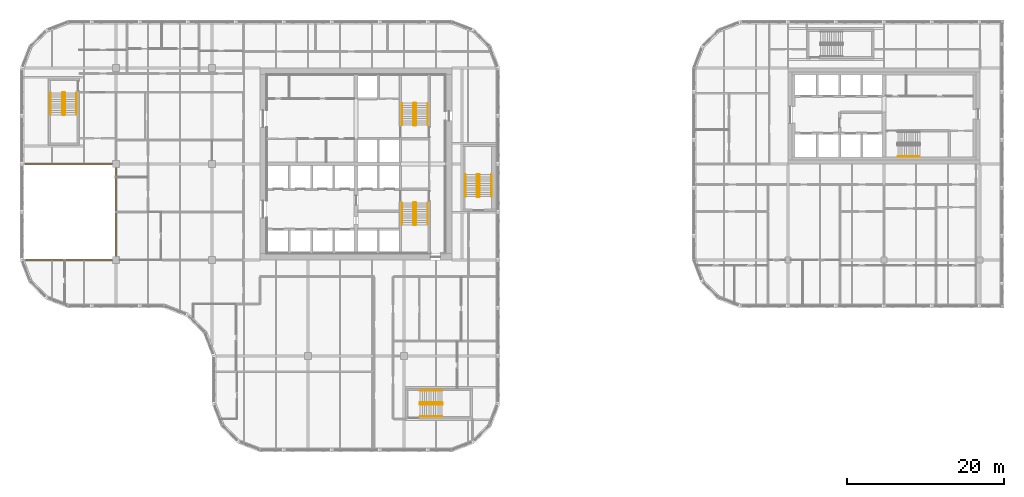
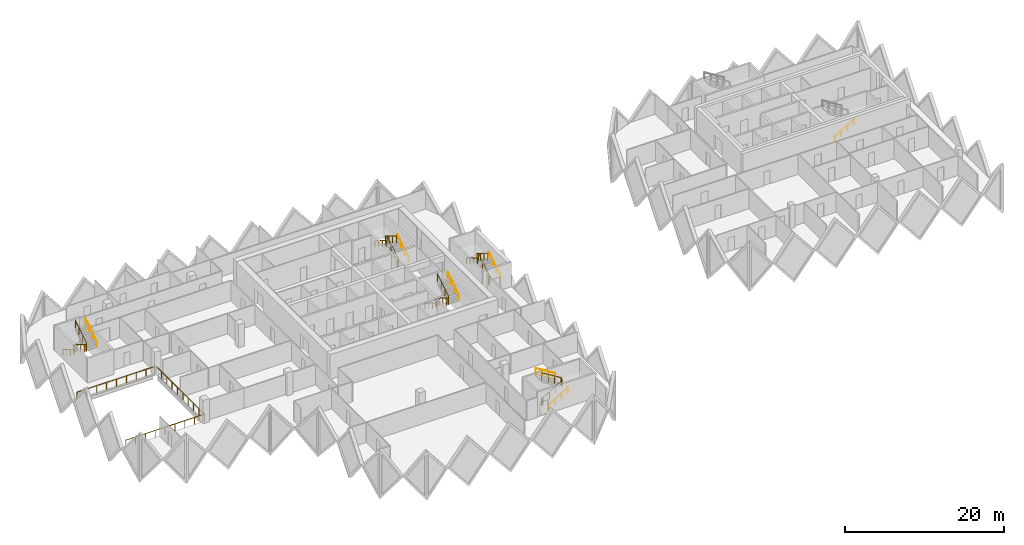
# One storey, part 17 of 18: 17 railings.
"""IFC4 building model written with IfcOpenShell, lengths in metres."""

from ifc_helpers import new_model, si_unit, direction, frame, origin, origin_2d, place, context, subcontext, project, spatial, circle, extrude, material, type_object, element, save


model = new_model("IFC4")

# Units and contexts
model_context = context("Model", 3, precision=1e-05, world=origin(), true_north=direction((0.0, 1.0)))
body_context = subcontext(model_context, "Body", "Model", "MODEL_VIEW")
ifc_project = project(units=[si_unit("LENGTHUNIT", "METRE"), si_unit("AREAUNIT", "SQUARE_METRE"), si_unit("VOLUMEUNIT", "CUBIC_METRE"), si_unit("PLANEANGLEUNIT", "RADIAN"), si_unit("MASSUNIT", "GRAM", prefix="KILO")], contexts=[model_context])

# Site, building, storey
site_placement = place(None, origin())
site = spatial("IfcSite", under=ifc_project, at=site_placement, CompositionType="ELEMENT")
building_placement = place(site_placement, origin())
building = spatial("IfcBuilding", under=site, at=building_placement, Name="Tessera Gate Towers", CompositionType="ELEMENT")
storey_placement = place(building_placement, frame((0.0, 0.0, 99.0)))
storey = spatial("IfcBuildingStorey", under=building, at=storey_placement, Name="L24", CompositionType="ELEMENT", Elevation=99.0)

# Railings
ifc_material_1 = material(Name="Toughened glass with stainless steel handrail", Category="steel")
railing_type_1 = type_object("IfcRailingType", Name="GUARD 1100 GLASS BALUSTRADE", PredefinedType="GUARDRAIL", material=ifc_material_1)
railing_1_placement = place(storey_placement, frame((0.750244140625, 24.39990234375, 0.0)))
element("IfcRailing", 1, at=railing_1_placement, inside=storey, type_object=railing_type_1, Name="Guard", PredefinedType="GUARDRAIL", context=body_context, shape_type="SweptSolid", body=[
    extrude(circle(Radius=0.02490234375, at=origin_2d()), frame((0.0, 0.0, 1.0751953125), z_axis=(1.0, 0.0, 0.0), x_axis=(0.0, 1.0, 0.0)), (0.0, 0.0, 1.0), 11.44970703125),
    extrude(circle(Radius=0.02490234375, at=origin_2d()), frame((11.44970703125, 0.0, 1.0751953125), z_axis=(0.0, 1.0, 0.0), x_axis=(-1.0, 0.0, 0.0)), (0.0, 0.0, 1.0), 12.2001953125),
    extrude(circle(Radius=0.02490234375, at=origin_2d()), frame((11.44970703125, 12.2001953125, 1.0751953125), z_axis=(-1.0, 0.0, 0.0), x_axis=(0.0, -1.0, 0.0)), (0.0, 0.0, 1.0), 11.5),
    extrude(circle(Radius=0.02490234375, at=origin_2d()), origin(), (0.0, 0.0, 1.0), 1.050048828125),
    extrude(circle(Radius=0.02490234375, at=origin_2d()), frame((1.43115234375, 0.0, 0.0)), (0.0, 0.0, 1.0), 1.050048828125),
    extrude(circle(Radius=0.02490234375, at=origin_2d()), frame((2.8623046875, 0.0, 0.0)), (0.0, 0.0, 1.0), 1.050048828125),
    extrude(circle(Radius=0.02490234375, at=origin_2d()), frame((4.293701171875, 0.0, 0.0)), (0.0, 0.0, 1.0), 1.050048828125),
    extrude(circle(Radius=0.02490234375, at=origin_2d()), frame((5.724853515625, 0.0, 0.0)), (0.0, 0.0, 1.0), 1.050048828125),
    extrude(circle(Radius=0.02490234375, at=origin_2d()), frame((7.156005859375, 0.0, 0.0)), (0.0, 0.0, 1.0), 1.050048828125),
    extrude(circle(Radius=0.02490234375, at=origin_2d()), frame((8.58740234375, 0.0, 0.0)), (0.0, 0.0, 1.0), 1.050048828125),
    extrude(circle(Radius=0.02490234375, at=origin_2d()), frame((10.0185546875, 0.0, 0.0)), (0.0, 0.0, 1.0), 1.050048828125),
    extrude(circle(Radius=0.02490234375, at=origin_2d()), frame((11.44970703125, 0.0, 0.0)), (0.0, 0.0, 1.0), 1.050048828125),
    extrude(circle(Radius=0.02490234375, at=origin_2d()), frame((11.44970703125, 1.35546875, 0.0)), (0.0, 0.0, 1.0), 1.050048828125),
    extrude(circle(Radius=0.02490234375, at=origin_2d()), frame((11.44970703125, 2.711181640625, 0.0)), (0.0, 0.0, 1.0), 1.050048828125),
    extrude(circle(Radius=0.02490234375, at=origin_2d()), frame((11.44970703125, 4.066650390625, 0.0)), (0.0, 0.0, 1.0), 1.050048828125),
    extrude(circle(Radius=0.02490234375, at=origin_2d()), frame((11.44970703125, 5.42236328125, 0.0)), (0.0, 0.0, 1.0), 1.050048828125),
    extrude(circle(Radius=0.02490234375, at=origin_2d()), frame((11.44970703125, 6.77783203125, 0.0)), (0.0, 0.0, 1.0), 1.050048828125),
    extrude(circle(Radius=0.02490234375, at=origin_2d()), frame((11.44970703125, 8.133544921875, 0.0)), (0.0, 0.0, 1.0), 1.050048828125),
    extrude(circle(Radius=0.02490234375, at=origin_2d()), frame((11.44970703125, 9.489013671875, 0.0)), (0.0, 0.0, 1.0), 1.050048828125),
    extrude(circle(Radius=0.02490234375, at=origin_2d()), frame((11.44970703125, 10.8447265625, 0.0)), (0.0, 0.0, 1.0), 1.050048828125),
    extrude(circle(Radius=0.02490234375, at=origin_2d()), frame((11.44970703125, 12.2001953125, 0.0)), (0.0, 0.0, 1.0), 1.050048828125),
    extrude(circle(Radius=0.02490234375, at=origin_2d()), frame((10.01220703125, 12.2001953125, 0.0)), (0.0, 0.0, 1.0), 1.050048828125),
    extrude(circle(Radius=0.02490234375, at=origin_2d()), frame((8.57470703125, 12.2001953125, 0.0)), (0.0, 0.0, 1.0), 1.050048828125),
    extrude(circle(Radius=0.02490234375, at=origin_2d()), frame((7.13720703125, 12.2001953125, 0.0)), (0.0, 0.0, 1.0), 1.050048828125),
    extrude(circle(Radius=0.02490234375, at=origin_2d()), frame((5.69970703125, 12.2001953125, 0.0)), (0.0, 0.0, 1.0), 1.050048828125),
    extrude(circle(Radius=0.02490234375, at=origin_2d()), frame((4.26220703125, 12.2001953125, 0.0)), (0.0, 0.0, 1.0), 1.050048828125),
    extrude(circle(Radius=0.02490234375, at=origin_2d()), frame((2.82470703125, 12.2001953125, 0.0)), (0.0, 0.0, 1.0), 1.050048828125),
    extrude(circle(Radius=0.02490234375, at=origin_2d()), frame((1.38720703125, 12.2001953125, 0.0)), (0.0, 0.0, 1.0), 1.050048828125),
    extrude(circle(Radius=0.02490234375, at=origin_2d()), frame((-0.05029296875, 12.2001953125, 0.0)), (0.0, 0.0, 1.0), 1.050048828125),
])
ifc_material_2 = material(Name="Steel 350W", Category="steel")
railing_type_2 = type_object("IfcRailingType", Name="STAIR GUARD 1100", PredefinedType="GUARDRAIL", material=ifc_material_2)
railing_2_placement = place(storey_placement, frame((50.27490234375, 31.72509765625, 0.0)))
element("IfcRailing", 2, at=railing_2_placement, inside=storey, type_object=railing_type_2, Name="L24 ST1 stair guard 1", PredefinedType="GUARDRAIL", context=body_context, shape_type="SweptSolid", body=[
    extrude(circle(Radius=0.02392578125, at=origin_2d()), frame((0.0, 0.0, 1.076171875), z_axis=(-1.0, 0.0, 0.0), x_axis=(0.0, -1.0, 0.0)), (0.0, 0.0, 1.0), 0.199951171875),
    extrude(circle(Radius=0.02392578125, at=origin_2d()), frame((-0.199951171875, 0.0, 1.076171875), z_axis=(-0.268277960024, -0.268277960024, 0.925231793839), x_axis=(0.707106781187, -0.707106781187, 0.0)), (0.0, 0.0, 1.0), 0.1865234375),
    extrude(circle(Radius=0.02392578125, at=origin_2d()), frame((-0.25, -0.050048828125, 1.24853515625), z_axis=(0.0, -0.851089632645, 0.525020415988), x_axis=(1.0, 0.0, 0.0)), (0.0, 0.0, 1.0), 3.2900390625),
    extrude(circle(Radius=0.02392578125, at=origin_2d()), frame((-0.25, -2.85009765625, 2.97607421875), z_axis=(0.707106781187, -0.707106781187, 0.0), x_axis=(0.707106781187, 0.707106781187, 0.0)), (0.0, 0.0, 1.0), 0.07080078125),
    extrude(circle(Radius=0.02392578125, at=origin_2d()), frame((-0.199951171875, -2.900146484375, 2.97607421875), z_axis=(1.0, 0.0, 0.0), x_axis=(0.0, 1.0, 0.0)), (0.0, 0.0, 1.0), 0.199951171875),
    extrude(circle(Radius=0.02392578125, at=origin_2d()), frame((0.0, -2.900146484375, 2.97607421875), z_axis=(0.267953482034, 0.267953482034, 0.925419830635), x_axis=(-0.707106781187, 0.707106781187, 0.0)), (0.0, 0.0, 1.0), 0.186767578125),
    extrude(circle(Radius=0.02392578125, at=origin_2d()), frame((0.050048828125, -2.85009765625, 3.14892578125), z_axis=(0.0, 0.851089632645, 0.525020415988), x_axis=(-1.0, 0.0, 0.0)), (0.0, 0.0, 1.0), 3.2900390625),
    extrude(circle(Radius=0.02099609375, at=origin_2d()), origin(), (0.0, 0.0, 1.0), 1.052001953125),
    extrude(circle(Radius=0.02099609375, at=origin_2d()), frame((-0.199951171875, 0.0, 0.0)), (0.0, 0.0, 1.0), 1.052001953125),
    extrude(circle(Radius=0.02099609375, at=origin_2d()), frame((-0.25, -0.050048828125, 0.172607421875)), (0.0, 0.0, 1.0), 1.052001953125),
    extrude(circle(Radius=0.02099609375, at=origin_2d()), frame((-0.25, -0.9833984375, 0.748291015625)), (0.0, 0.0, 1.0), 1.052001953125),
    extrude(circle(Radius=0.02099609375, at=origin_2d()), frame((-0.25, -1.916748046875, 1.32421875)), (0.0, 0.0, 1.0), 1.052001953125),
    extrude(circle(Radius=0.02099609375, at=origin_2d()), frame((-0.25, -2.85009765625, 1.89990234375)), (0.0, 0.0, 1.0), 1.052001953125),
    extrude(circle(Radius=0.02099609375, at=origin_2d()), frame((-0.199951171875, -2.900146484375, 1.89990234375)), (0.0, 0.0, 1.0), 1.052001953125),
    extrude(circle(Radius=0.02099609375, at=origin_2d()), frame((0.0, -2.900146484375, 1.89990234375)), (0.0, 0.0, 1.0), 1.052001953125),
    extrude(circle(Radius=0.02099609375, at=origin_2d()), frame((0.050048828125, -2.85009765625, 2.07275390625)), (0.0, 0.0, 1.0), 1.052001953125),
    extrude(circle(Radius=0.02099609375, at=origin_2d()), frame((0.050048828125, -1.916748046875, 2.6484375)), (0.0, 0.0, 1.0), 1.052001953125),
    extrude(circle(Radius=0.02099609375, at=origin_2d()), frame((0.050048828125, -0.9833984375, 3.224365234375)), (0.0, 0.0, 1.0), 1.052001953125),
    extrude(circle(Radius=0.02099609375, at=origin_2d()), frame((0.050048828125, -0.050048828125, 3.800048828125)), (0.0, 0.0, 1.0), 1.052001953125),
])
railing_3_placement = place(storey_placement, frame((50.074951171875, 41.47509765625, 0.0)))
element("IfcRailing", 3, at=railing_3_placement, inside=storey, type_object=railing_type_2, Name="L24 ST2 stair guard 1", PredefinedType="GUARDRAIL", context=body_context, shape_type="SweptSolid", body=[
    extrude(circle(Radius=0.02392578125, at=origin_2d()), frame((0.0, 0.0, 1.076171875), z_axis=(1.0, 0.0, 0.0), x_axis=(0.0, 1.0, 0.0)), (0.0, 0.0, 1.0), 0.199951171875),
    extrude(circle(Radius=0.02392578125, at=origin_2d()), frame((0.199951171875, 0.0, 1.076171875), z_axis=(0.268371968888, 0.267062837333, 0.925556009775), x_axis=(-0.705375805398, 0.708833529934, 0.0)), (0.0, 0.0, 1.0), 0.1865234375),
    extrude(circle(Radius=0.02392578125, at=origin_2d()), frame((0.25, 0.0498046875, 1.24853515625), z_axis=(0.0, 0.851089632645, 0.525020415988), x_axis=(-1.0, 0.0, 0.0)), (0.0, 0.0, 1.0), 3.2900390625),
    extrude(circle(Radius=0.02392578125, at=origin_2d()), frame((0.25, 2.849853515625, 2.97607421875), z_axis=(-0.707106781187, 0.707106781187, 0.0), x_axis=(-0.707106781187, -0.707106781187, 0.0)), (0.0, 0.0, 1.0), 0.07080078125),
    extrude(circle(Radius=0.02392578125, at=origin_2d()), frame((0.199951171875, 2.89990234375, 2.97607421875), z_axis=(-1.0, 0.0, 0.0), x_axis=(0.0, -1.0, 0.0)), (0.0, 0.0, 1.0), 0.199951171875),
    extrude(circle(Radius=0.02392578125, at=origin_2d()), frame((0.0, 2.89990234375, 2.97607421875), z_axis=(-0.267953482034, -0.267953482034, 0.925419830635), x_axis=(0.707106781187, -0.707106781187, 0.0)), (0.0, 0.0, 1.0), 0.186767578125),
    extrude(circle(Radius=0.02392578125, at=origin_2d()), frame((-0.050048828125, 2.849853515625, 3.14892578125), z_axis=(0.0, -0.851089632645, 0.525020415988), x_axis=(1.0, 0.0, 0.0)), (0.0, 0.0, 1.0), 3.2900390625),
    extrude(circle(Radius=0.02099609375, at=origin_2d()), origin(), (0.0, 0.0, 1.0), 1.052001953125),
    extrude(circle(Radius=0.02099609375, at=origin_2d()), frame((0.199951171875, 0.0, 0.0)), (0.0, 0.0, 1.0), 1.052001953125),
    extrude(circle(Radius=0.02099609375, at=origin_2d()), frame((0.25, 0.0498046875, 0.172607421875)), (0.0, 0.0, 1.0), 1.052001953125),
    extrude(circle(Radius=0.02099609375, at=origin_2d()), frame((0.25, 0.983154296875, 0.748291015625)), (0.0, 0.0, 1.0), 1.052001953125),
    extrude(circle(Radius=0.02099609375, at=origin_2d()), frame((0.25, 1.91650390625, 1.32421875)), (0.0, 0.0, 1.0), 1.052001953125),
    extrude(circle(Radius=0.02099609375, at=origin_2d()), frame((0.25, 2.849853515625, 1.89990234375)), (0.0, 0.0, 1.0), 1.052001953125),
    extrude(circle(Radius=0.02099609375, at=origin_2d()), frame((0.199951171875, 2.89990234375, 1.89990234375)), (0.0, 0.0, 1.0), 1.052001953125),
    extrude(circle(Radius=0.02099609375, at=origin_2d()), frame((0.0, 2.89990234375, 1.89990234375)), (0.0, 0.0, 1.0), 1.052001953125),
    extrude(circle(Radius=0.02099609375, at=origin_2d()), frame((-0.050048828125, 2.849853515625, 2.07275390625)), (0.0, 0.0, 1.0), 1.052001953125),
    extrude(circle(Radius=0.02099609375, at=origin_2d()), frame((-0.050048828125, 1.91650390625, 2.6484375)), (0.0, 0.0, 1.0), 1.052001953125),
    extrude(circle(Radius=0.02099609375, at=origin_2d()), frame((-0.050048828125, 0.983154296875, 3.224365234375)), (0.0, 0.0, 1.0), 1.052001953125),
    extrude(circle(Radius=0.02099609375, at=origin_2d()), frame((-0.050048828125, 0.0498046875, 3.800048828125)), (0.0, 0.0, 1.0), 1.052001953125),
])
railing_4_placement = place(storey_placement, frame((5.64990234375, 45.699951171875, 0.0)))
element("IfcRailing", 4, at=railing_4_placement, inside=storey, type_object=railing_type_2, Name="L24 ST3 stair guard 1", PredefinedType="GUARDRAIL", context=body_context, shape_type="SweptSolid", body=[
    extrude(circle(Radius=0.02392578125, at=origin_2d()), frame((0.0, 0.0, 1.076171875), z_axis=(-1.0, 0.0, 0.0), x_axis=(0.0, -1.0, 0.0)), (0.0, 0.0, 1.0), 0.199951171875),
    extrude(circle(Radius=0.02392578125, at=origin_2d()), frame((-0.199951171875, 0.0, 1.076171875), z_axis=(-0.268277960024, -0.268277960024, 0.925231793839), x_axis=(0.707106781187, -0.707106781187, 0.0)), (0.0, 0.0, 1.0), 0.1865234375),
    extrude(circle(Radius=0.02392578125, at=origin_2d()), frame((-0.25, -0.050048828125, 1.24853515625), z_axis=(0.0, -0.851069175582, 0.525053576669), x_axis=(1.0, 0.0, 0.0)), (0.0, 0.0, 1.0), 3.289794921875),
    extrude(circle(Radius=0.02392578125, at=origin_2d()), frame((-0.25, -2.849853515625, 2.97607421875), z_axis=(0.707106781187, -0.707106781187, 0.0), x_axis=(0.707106781187, 0.707106781187, 0.0)), (0.0, 0.0, 1.0), 0.07080078125),
    extrude(circle(Radius=0.02392578125, at=origin_2d()), frame((-0.199951171875, -2.89990234375, 2.97607421875), z_axis=(1.0, 0.0, 0.0), x_axis=(0.0, 1.0, 0.0)), (0.0, 0.0, 1.0), 0.199951171875),
    extrude(circle(Radius=0.02392578125, at=origin_2d()), frame((0.0, -2.89990234375, 2.97607421875), z_axis=(0.267953482034, 0.267953482034, 0.925419830635), x_axis=(-0.707106781187, 0.707106781187, 0.0)), (0.0, 0.0, 1.0), 0.186767578125),
    extrude(circle(Radius=0.02392578125, at=origin_2d()), frame((0.050048828125, -2.849853515625, 3.14892578125), z_axis=(0.0, 0.851069175582, 0.525053576669), x_axis=(-1.0, 0.0, 0.0)), (0.0, 0.0, 1.0), 3.289794921875),
    extrude(circle(Radius=0.02099609375, at=origin_2d()), origin(), (0.0, 0.0, 1.0), 1.052001953125),
    extrude(circle(Radius=0.02099609375, at=origin_2d()), frame((-0.199951171875, 0.0, 0.0)), (0.0, 0.0, 1.0), 1.052001953125),
    extrude(circle(Radius=0.02099609375, at=origin_2d()), frame((-0.25, -0.050048828125, 0.172607421875)), (0.0, 0.0, 1.0), 1.052001953125),
    extrude(circle(Radius=0.02099609375, at=origin_2d()), frame((-0.25, -0.9833984375, 0.748291015625)), (0.0, 0.0, 1.0), 1.052001953125),
    extrude(circle(Radius=0.02099609375, at=origin_2d()), frame((-0.25, -1.91650390625, 1.32421875)), (0.0, 0.0, 1.0), 1.052001953125),
    extrude(circle(Radius=0.02099609375, at=origin_2d()), frame((-0.25, -2.849853515625, 1.89990234375)), (0.0, 0.0, 1.0), 1.052001953125),
    extrude(circle(Radius=0.02099609375, at=origin_2d()), frame((-0.199951171875, -2.89990234375, 1.89990234375)), (0.0, 0.0, 1.0), 1.052001953125),
    extrude(circle(Radius=0.02099609375, at=origin_2d()), frame((0.0, -2.89990234375, 1.89990234375)), (0.0, 0.0, 1.0), 1.052001953125),
    extrude(circle(Radius=0.02099609375, at=origin_2d()), frame((0.050048828125, -2.849853515625, 2.07275390625)), (0.0, 0.0, 1.0), 1.052001953125),
    extrude(circle(Radius=0.02099609375, at=origin_2d()), frame((0.050048828125, -1.91650390625, 2.6484375)), (0.0, 0.0, 1.0), 1.052001953125),
    extrude(circle(Radius=0.02099609375, at=origin_2d()), frame((0.050048828125, -0.9833984375, 3.224365234375)), (0.0, 0.0, 1.0), 1.052001953125),
    extrude(circle(Radius=0.02099609375, at=origin_2d()), frame((0.050048828125, -0.050048828125, 3.800048828125)), (0.0, 0.0, 1.0), 1.052001953125),
])
railing_5_placement = place(storey_placement, frame((50.800048828125, 6.25, 0.0)))
element("IfcRailing", 5, at=railing_5_placement, inside=storey, type_object=railing_type_2, Name="L24 ST4 stair guard 1", PredefinedType="GUARDRAIL", context=body_context, shape_type="SweptSolid", body=[
    extrude(circle(Radius=0.02392578125, at=origin_2d()), frame((0.0, 0.0, 1.076171875), z_axis=(0.0, -1.0, 0.0), x_axis=(1.0, 0.0, 0.0)), (0.0, 0.0, 1.0), 0.199951171875),
    extrude(circle(Radius=0.02392578125, at=origin_2d()), frame((0.0, -0.199951171875, 1.076171875), z_axis=(0.268277960024, -0.268277960024, 0.925231793839), x_axis=(0.707106781187, 0.707106781187, 0.0)), (0.0, 0.0, 1.0), 0.1865234375),
    extrude(circle(Radius=0.02392578125, at=origin_2d()), frame((0.050048828125, -0.25, 1.24853515625), z_axis=(0.851069175582, 0.0, 0.525053576669), x_axis=(0.0, 1.0, 0.0)), (0.0, 0.0, 1.0), 3.289794921875),
    extrude(circle(Radius=0.02392578125, at=origin_2d()), frame((2.849853515625, -0.25, 2.97607421875), z_axis=(0.707106781187, 0.707106781187, 0.0), x_axis=(-0.707106781187, 0.707106781187, 0.0)), (0.0, 0.0, 1.0), 0.07080078125),
    extrude(circle(Radius=0.02392578125, at=origin_2d()), frame((2.89990234375, -0.199951171875, 2.97607421875), z_axis=(0.0, 1.0, 0.0), x_axis=(-1.0, 0.0, 0.0)), (0.0, 0.0, 1.0), 0.199951171875),
    extrude(circle(Radius=0.02392578125, at=origin_2d()), frame((2.89990234375, 0.0, 2.97607421875), z_axis=(-0.267953482034, 0.267953482034, 0.925419830635), x_axis=(-0.707106781187, -0.707106781187, 0.0)), (0.0, 0.0, 1.0), 0.186767578125),
    extrude(circle(Radius=0.02392578125, at=origin_2d()), frame((2.849853515625, 0.050048828125, 3.14892578125), z_axis=(-0.851069175582, 0.0, 0.525053576669), x_axis=(0.0, -1.0, 0.0)), (0.0, 0.0, 1.0), 3.289794921875),
    extrude(circle(Radius=0.02099609375, at=origin_2d()), origin(), (0.0, 0.0, 1.0), 1.052001953125),
    extrude(circle(Radius=0.02099609375, at=origin_2d()), frame((0.0, -0.199951171875, 0.0)), (0.0, 0.0, 1.0), 1.052001953125),
    extrude(circle(Radius=0.02099609375, at=origin_2d()), frame((0.050048828125, -0.25, 0.172607421875)), (0.0, 0.0, 1.0), 1.052001953125),
    extrude(circle(Radius=0.02099609375, at=origin_2d()), frame((0.9833984375, -0.25, 0.748291015625)), (0.0, 0.0, 1.0), 1.052001953125),
    extrude(circle(Radius=0.02099609375, at=origin_2d()), frame((1.91650390625, -0.25, 1.32421875)), (0.0, 0.0, 1.0), 1.052001953125),
    extrude(circle(Radius=0.02099609375, at=origin_2d()), frame((2.849853515625, -0.25, 1.89990234375)), (0.0, 0.0, 1.0), 1.052001953125),
    extrude(circle(Radius=0.02099609375, at=origin_2d()), frame((2.89990234375, -0.199951171875, 1.89990234375)), (0.0, 0.0, 1.0), 1.052001953125),
    extrude(circle(Radius=0.02099609375, at=origin_2d()), frame((2.89990234375, 0.0, 1.89990234375)), (0.0, 0.0, 1.0), 1.052001953125),
    extrude(circle(Radius=0.02099609375, at=origin_2d()), frame((2.849853515625, 0.050048828125, 2.07275390625)), (0.0, 0.0, 1.0), 1.052001953125),
    extrude(circle(Radius=0.02099609375, at=origin_2d()), frame((1.91650390625, 0.050048828125, 2.6484375)), (0.0, 0.0, 1.0), 1.052001953125),
    extrude(circle(Radius=0.02099609375, at=origin_2d()), frame((0.9833984375, 0.050048828125, 3.224365234375)), (0.0, 0.0, 1.0), 1.052001953125),
    extrude(circle(Radius=0.02099609375, at=origin_2d()), frame((0.050048828125, 0.050048828125, 3.800048828125)), (0.0, 0.0, 1.0), 1.052001953125),
])
railing_6_placement = place(storey_placement, frame((58.14990234375, 32.39990234375, 0.0)))
element("IfcRailing", 6, at=railing_6_placement, inside=storey, type_object=railing_type_2, Name="L24 ST5 stair guard 1", PredefinedType="GUARDRAIL", context=body_context, shape_type="SweptSolid", body=[
    extrude(circle(Radius=0.02392578125, at=origin_2d()), frame((0.0, 0.0, 1.076171875), z_axis=(1.0, 0.0, 0.0), x_axis=(0.0, 1.0, 0.0)), (0.0, 0.0, 1.0), 0.2001953125),
    extrude(circle(Radius=0.02392578125, at=origin_2d()), frame((0.2001953125, 0.0, 1.076171875), z_axis=(0.267062837333, 0.268371968888, 0.925556009775), x_axis=(-0.708833529934, 0.705375805398, 0.0)), (0.0, 0.0, 1.0), 0.1865234375),
    extrude(circle(Radius=0.02392578125, at=origin_2d()), frame((0.25, 0.050048828125, 1.24853515625), z_axis=(0.0, 0.851089632645, 0.525020415988), x_axis=(-1.0, 0.0, 0.0)), (0.0, 0.0, 1.0), 3.2900390625),
    extrude(circle(Radius=0.02392578125, at=origin_2d()), frame((0.25, 2.85009765625, 2.97607421875), z_axis=(-0.705375805398, 0.708833529934, 0.0), x_axis=(-0.708833529934, -0.705375805398, 0.0)), (0.0, 0.0, 1.0), 0.070556640625),
    extrude(circle(Radius=0.02392578125, at=origin_2d()), frame((0.2001953125, 2.900146484375, 2.97607421875), z_axis=(-1.0, 0.0, 0.0), x_axis=(0.0, -1.0, 0.0)), (0.0, 0.0, 1.0), 0.2001953125),
    extrude(circle(Radius=0.02392578125, at=origin_2d()), frame((0.0, 2.900146484375, 2.97607421875), z_axis=(-0.266739603011, -0.268047150085, 0.925743328097), x_axis=(0.708833529934, -0.705375805398, 0.0)), (0.0, 0.0, 1.0), 0.186767578125),
    extrude(circle(Radius=0.02392578125, at=origin_2d()), frame((-0.0498046875, 2.85009765625, 3.14892578125), z_axis=(0.0, -0.851089632645, 0.525020415988), x_axis=(1.0, 0.0, 0.0)), (0.0, 0.0, 1.0), 3.2900390625),
    extrude(circle(Radius=0.02099609375, at=origin_2d()), origin(), (0.0, 0.0, 1.0), 1.052001953125),
    extrude(circle(Radius=0.02099609375, at=origin_2d()), frame((0.2001953125, 0.0, 0.0)), (0.0, 0.0, 1.0), 1.052001953125),
    extrude(circle(Radius=0.02099609375, at=origin_2d()), frame((0.25, 0.050048828125, 0.172607421875)), (0.0, 0.0, 1.0), 1.052001953125),
    extrude(circle(Radius=0.02099609375, at=origin_2d()), frame((0.25, 0.9833984375, 0.748291015625)), (0.0, 0.0, 1.0), 1.052001953125),
    extrude(circle(Radius=0.02099609375, at=origin_2d()), frame((0.25, 1.916748046875, 1.32421875)), (0.0, 0.0, 1.0), 1.052001953125),
    extrude(circle(Radius=0.02099609375, at=origin_2d()), frame((0.25, 2.85009765625, 1.89990234375)), (0.0, 0.0, 1.0), 1.052001953125),
    extrude(circle(Radius=0.02099609375, at=origin_2d()), frame((0.2001953125, 2.900146484375, 1.89990234375)), (0.0, 0.0, 1.0), 1.052001953125),
    extrude(circle(Radius=0.02099609375, at=origin_2d()), frame((0.0, 2.900146484375, 1.89990234375)), (0.0, 0.0, 1.0), 1.052001953125),
    extrude(circle(Radius=0.02099609375, at=origin_2d()), frame((-0.0498046875, 2.85009765625, 2.07275390625)), (0.0, 0.0, 1.0), 1.052001953125),
    extrude(circle(Radius=0.02099609375, at=origin_2d()), frame((-0.0498046875, 1.916748046875, 2.6484375)), (0.0, 0.0, 1.0), 1.052001953125),
    extrude(circle(Radius=0.02099609375, at=origin_2d()), frame((-0.0498046875, 0.9833984375, 3.224365234375)), (0.0, 0.0, 1.0), 1.052001953125),
    extrude(circle(Radius=0.02099609375, at=origin_2d()), frame((-0.0498046875, 0.050048828125, 3.800048828125)), (0.0, 0.0, 1.0), 1.052001953125),
])
ifc_material_3 = material(Name="Steel 350W", Category="steel")
railing_type_3 = type_object("IfcRailingType", Name="STAIR HANDRAIL 900", PredefinedType="HANDRAIL", material=ifc_material_3)
railing_7_placement = place(storey_placement, frame((48.52490234375, 31.675048828125, 0.172607421875)))
element("IfcRailing", 7, at=railing_7_placement, inside=storey, type_object=railing_type_3, Name="L24 ST1 stair handrail 1", PredefinedType="HANDRAIL", context=body_context, shape_type="SweptSolid", body=[
    extrude(circle(Radius=0.02392578125, at=origin_2d()), frame((0.0, 0.0, 0.8759765625), z_axis=(0.0, -0.851089632645, 0.525020415988), x_axis=(1.0, 0.0, 0.0)), (0.0, 0.0, 1.0), 3.2900390625),
    extrude(circle(Radius=0.02099609375, at=origin_2d()), origin(), (0.0, 0.0, 1.0), 0.851806640625),
    extrude(circle(Radius=0.02099609375, at=origin_2d()), frame((0.0, -0.933349609375, 0.57568359375)), (0.0, 0.0, 1.0), 0.851806640625),
    extrude(circle(Radius=0.02099609375, at=origin_2d()), frame((0.0, -1.86669921875, 1.151611328125)), (0.0, 0.0, 1.0), 0.851806640625),
    extrude(circle(Radius=0.02099609375, at=origin_2d()), frame((0.0, -2.800048828125, 1.727294921875)), (0.0, 0.0, 1.0), 0.851806640625),
])
for number, where, name in (
    (8, (51.824951171875, 28.875, 2.07275390625), "L24 ST1 stair handrail 2"),
    (9, (51.824951171875, 41.52490234375, 0.172607421875), "L24 ST2 stair handrail 1"),
):
    element("IfcRailing", number, at=place(storey_placement, frame(where)), inside=storey, type_object=railing_type_3, Name=name, PredefinedType="HANDRAIL", context=body_context, shape_type="SweptSolid", body=[
        extrude(circle(Radius=0.02392578125, at=origin_2d()), frame((0.0, 0.0, 0.8759765625), z_axis=(0.0, 0.851089632645, 0.525020415988), x_axis=(-1.0, 0.0, 0.0)), (0.0, 0.0, 1.0), 3.2900390625),
        extrude(circle(Radius=0.02099609375, at=origin_2d()), origin(), (0.0, 0.0, 1.0), 0.851806640625),
        extrude(circle(Radius=0.02099609375, at=origin_2d()), frame((0.0, 0.933349609375, 0.57568359375)), (0.0, 0.0, 1.0), 0.851806640625),
        extrude(circle(Radius=0.02099609375, at=origin_2d()), frame((0.0, 1.86669921875, 1.151611328125)), (0.0, 0.0, 1.0), 0.851806640625),
        extrude(circle(Radius=0.02099609375, at=origin_2d()), frame((0.0, 2.800048828125, 1.727294921875)), (0.0, 0.0, 1.0), 0.851806640625),
    ])
railing_8_placement = place(storey_placement, frame((48.52490234375, 44.324951171875, 2.07275390625)))
element("IfcRailing", 10, at=railing_8_placement, inside=storey, type_object=railing_type_3, Name="L24 ST2 stair handrail 2", PredefinedType="HANDRAIL", context=body_context, shape_type="SweptSolid", body=[
    extrude(circle(Radius=0.02392578125, at=origin_2d()), frame((0.0, 0.0, 0.8759765625), z_axis=(0.0, -0.851089632645, 0.525020415988), x_axis=(1.0, 0.0, 0.0)), (0.0, 0.0, 1.0), 3.2900390625),
    extrude(circle(Radius=0.02099609375, at=origin_2d()), origin(), (0.0, 0.0, 1.0), 0.851806640625),
    extrude(circle(Radius=0.02099609375, at=origin_2d()), frame((0.0, -0.933349609375, 0.57568359375)), (0.0, 0.0, 1.0), 0.851806640625),
    extrude(circle(Radius=0.02099609375, at=origin_2d()), frame((0.0, -1.86669921875, 1.151611328125)), (0.0, 0.0, 1.0), 0.851806640625),
    extrude(circle(Radius=0.02099609375, at=origin_2d()), frame((0.0, -2.800048828125, 1.727294921875)), (0.0, 0.0, 1.0), 0.851806640625),
])
railing_9_placement = place(storey_placement, frame((3.89990234375, 45.64990234375, 0.172607421875)))
element("IfcRailing", 11, at=railing_9_placement, inside=storey, type_object=railing_type_3, Name="L24 ST3 stair handrail 1", PredefinedType="HANDRAIL", context=body_context, shape_type="SweptSolid", body=[
    extrude(circle(Radius=0.02392578125, at=origin_2d()), frame((0.0, 0.0, 0.8759765625), z_axis=(0.0, -0.851069175582, 0.525053576669), x_axis=(1.0, 0.0, 0.0)), (0.0, 0.0, 1.0), 3.289794921875),
    extrude(circle(Radius=0.02099609375, at=origin_2d()), origin(), (0.0, 0.0, 1.0), 0.851806640625),
    extrude(circle(Radius=0.02099609375, at=origin_2d()), frame((0.0, -0.933349609375, 0.57568359375)), (0.0, 0.0, 1.0), 0.851806640625),
    extrude(circle(Radius=0.02099609375, at=origin_2d()), frame((0.0, -1.866455078125, 1.151611328125)), (0.0, 0.0, 1.0), 0.851806640625),
    extrude(circle(Radius=0.02099609375, at=origin_2d()), frame((0.0, -2.7998046875, 1.727294921875)), (0.0, 0.0, 1.0), 0.851806640625),
])
railing_10_placement = place(storey_placement, frame((7.199951171875, 42.85009765625, 2.07275390625)))
element("IfcRailing", 12, at=railing_10_placement, inside=storey, type_object=railing_type_3, Name="L24 ST3 stair handrail 2", PredefinedType="HANDRAIL", context=body_context, shape_type="SweptSolid", body=[
    extrude(circle(Radius=0.02392578125, at=origin_2d()), frame((0.0, 0.0, 0.8759765625), z_axis=(0.0, 0.851069175582, 0.525053576669), x_axis=(-1.0, 0.0, 0.0)), (0.0, 0.0, 1.0), 3.289794921875),
    extrude(circle(Radius=0.02099609375, at=origin_2d()), origin(), (0.0, 0.0, 1.0), 0.851806640625),
    extrude(circle(Radius=0.02099609375, at=origin_2d()), frame((0.0, 0.933349609375, 0.57568359375)), (0.0, 0.0, 1.0), 0.851806640625),
    extrude(circle(Radius=0.02099609375, at=origin_2d()), frame((0.0, 1.866455078125, 1.151611328125)), (0.0, 0.0, 1.0), 0.851806640625),
    extrude(circle(Radius=0.02099609375, at=origin_2d()), frame((0.0, 2.7998046875, 1.727294921875)), (0.0, 0.0, 1.0), 0.851806640625),
])
railing_11_placement = place(storey_placement, frame((50.85009765625, 4.5, 0.172607421875)))
element("IfcRailing", 13, at=railing_11_placement, inside=storey, type_object=railing_type_3, Name="L24 ST4 stair handrail 1", PredefinedType="HANDRAIL", context=body_context, shape_type="SweptSolid", body=[
    extrude(circle(Radius=0.02392578125, at=origin_2d()), frame((0.0, 0.0, 0.8759765625), z_axis=(0.851069175582, 0.0, 0.525053576669), x_axis=(0.0, 1.0, 0.0)), (0.0, 0.0, 1.0), 3.289794921875),
    extrude(circle(Radius=0.02099609375, at=origin_2d()), origin(), (0.0, 0.0, 1.0), 0.851806640625),
    extrude(circle(Radius=0.02099609375, at=origin_2d()), frame((0.933349609375, 0.0, 0.57568359375)), (0.0, 0.0, 1.0), 0.851806640625),
    extrude(circle(Radius=0.02099609375, at=origin_2d()), frame((1.866455078125, 0.0, 1.151611328125)), (0.0, 0.0, 1.0), 0.851806640625),
    extrude(circle(Radius=0.02099609375, at=origin_2d()), frame((2.7998046875, 0.0, 1.727294921875)), (0.0, 0.0, 1.0), 0.851806640625),
])
railing_12_placement = place(storey_placement, frame((53.64990234375, 7.800048828125, 2.07275390625)))
element("IfcRailing", 14, at=railing_12_placement, inside=storey, type_object=railing_type_3, Name="L24 ST4 stair handrail 2", PredefinedType="HANDRAIL", context=body_context, shape_type="SweptSolid", body=[
    extrude(circle(Radius=0.02392578125, at=origin_2d()), frame((0.0, 0.0, 0.8759765625), z_axis=(-0.851069175582, 0.0, 0.525053576669), x_axis=(0.0, -1.0, 0.0)), (0.0, 0.0, 1.0), 3.289794921875),
    extrude(circle(Radius=0.02099609375, at=origin_2d()), origin(), (0.0, 0.0, 1.0), 0.851806640625),
    extrude(circle(Radius=0.02099609375, at=origin_2d()), frame((-0.933349609375, 0.0, 0.57568359375)), (0.0, 0.0, 1.0), 0.851806640625),
    extrude(circle(Radius=0.02099609375, at=origin_2d()), frame((-1.866455078125, 0.0, 1.151611328125)), (0.0, 0.0, 1.0), 0.851806640625),
    extrude(circle(Radius=0.02099609375, at=origin_2d()), frame((-2.7998046875, 0.0, 1.727294921875)), (0.0, 0.0, 1.0), 0.851806640625),
])
railing_13_placement = place(storey_placement, frame((59.89990234375, 32.449951171875, 0.172607421875)))
element("IfcRailing", 15, at=railing_13_placement, inside=storey, type_object=railing_type_3, Name="L24 ST5 stair handrail 1", PredefinedType="HANDRAIL", context=body_context, shape_type="SweptSolid", body=[
    extrude(circle(Radius=0.02392578125, at=origin_2d()), frame((0.0, 0.0, 0.8759765625), z_axis=(0.0, 0.851089632645, 0.525020415988), x_axis=(-1.0, 0.0, 0.0)), (0.0, 0.0, 1.0), 3.2900390625),
    extrude(circle(Radius=0.02099609375, at=origin_2d()), origin(), (0.0, 0.0, 1.0), 0.851806640625),
    extrude(circle(Radius=0.02099609375, at=origin_2d()), frame((0.0, 0.933349609375, 0.57568359375)), (0.0, 0.0, 1.0), 0.851806640625),
    extrude(circle(Radius=0.02099609375, at=origin_2d()), frame((0.0, 1.86669921875, 1.151611328125)), (0.0, 0.0, 1.0), 0.851806640625),
    extrude(circle(Radius=0.02099609375, at=origin_2d()), frame((0.0, 2.800048828125, 1.727294921875)), (0.0, 0.0, 1.0), 0.851806640625),
])
railing_14_placement = place(storey_placement, frame((56.60009765625, 35.25, 2.07275390625)))
element("IfcRailing", 16, at=railing_14_placement, inside=storey, type_object=railing_type_3, Name="L24 ST5 stair handrail 2", PredefinedType="HANDRAIL", context=body_context, shape_type="SweptSolid", body=[
    extrude(circle(Radius=0.02392578125, at=origin_2d()), frame((0.0, 0.0, 0.8759765625), z_axis=(0.0, -0.851089632645, 0.525020415988), x_axis=(1.0, 0.0, 0.0)), (0.0, 0.0, 1.0), 3.2900390625),
    extrude(circle(Radius=0.02099609375, at=origin_2d()), origin(), (0.0, 0.0, 1.0), 0.851806640625),
    extrude(circle(Radius=0.02099609375, at=origin_2d()), frame((0.0, -0.933349609375, 0.57568359375)), (0.0, 0.0, 1.0), 0.851806640625),
    extrude(circle(Radius=0.02099609375, at=origin_2d()), frame((0.0, -1.86669921875, 1.151611328125)), (0.0, 0.0, 1.0), 0.851806640625),
    extrude(circle(Radius=0.02099609375, at=origin_2d()), frame((0.0, -2.800048828125, 1.727294921875)), (0.0, 0.0, 1.0), 0.851806640625),
])
railing_15_placement = place(storey_placement, frame((111.550048828125, 37.550048828125, 0.172607421875)))
element("IfcRailing", 17, at=railing_15_placement, inside=storey, type_object=railing_type_3, Name="L24 ST6 stair handrail 1", PredefinedType="HANDRAIL", context=body_context, shape_type="SweptSolid", body=[
    extrude(circle(Radius=0.02392578125, at=origin_2d()), frame((0.0, 0.0, 0.8759765625), z_axis=(0.851089632645, 0.0, 0.525020415988), x_axis=(0.0, 1.0, 0.0)), (0.0, 0.0, 1.0), 3.2900390625),
    extrude(circle(Radius=0.02099609375, at=origin_2d()), origin(), (0.0, 0.0, 1.0), 0.851806640625),
    extrude(circle(Radius=0.02099609375, at=origin_2d()), frame((0.933349609375, 0.0, 0.57568359375)), (0.0, 0.0, 1.0), 0.851806640625),
    extrude(circle(Radius=0.02099609375, at=origin_2d()), frame((1.86669921875, 0.0, 1.151611328125)), (0.0, 0.0, 1.0), 0.851806640625),
    extrude(circle(Radius=0.02099609375, at=origin_2d()), frame((2.800048828125, 0.0, 1.727294921875)), (0.0, 0.0, 1.0), 0.851806640625),
])

save(model, "model.ifc")
